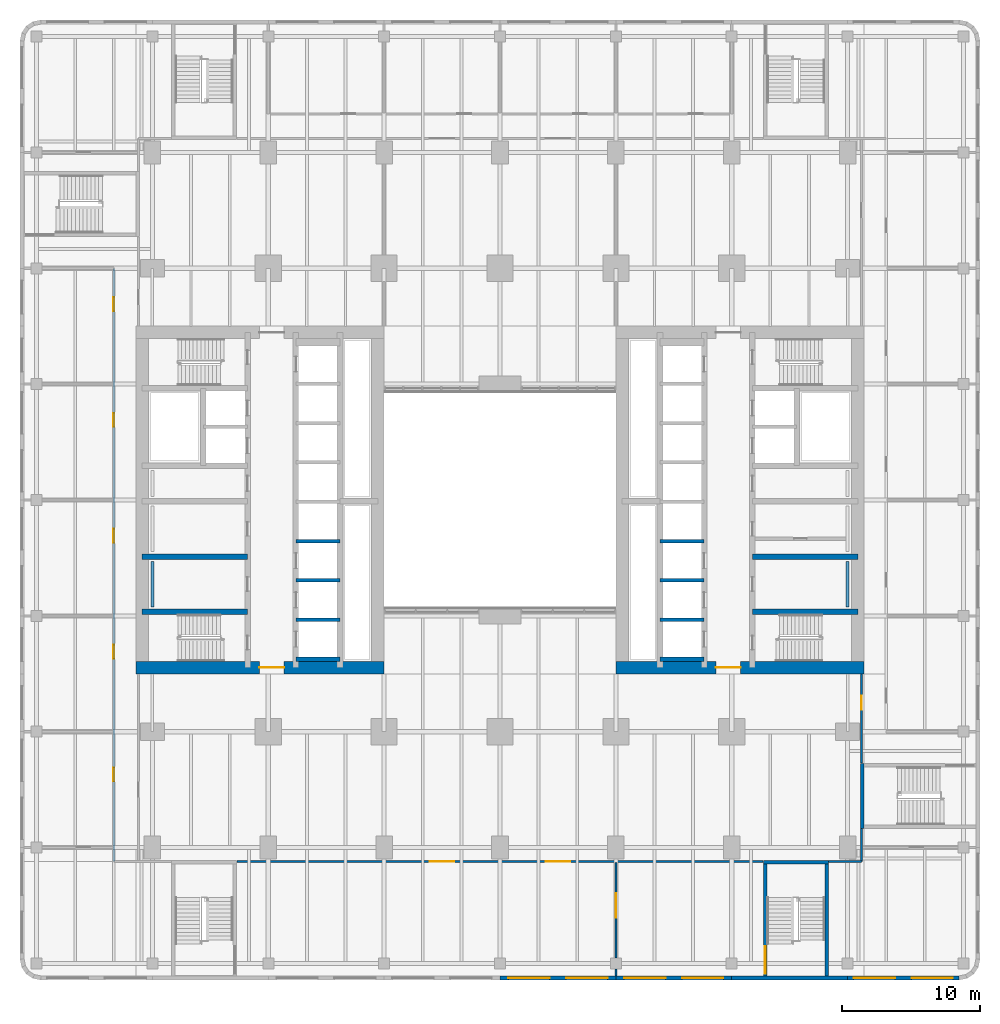
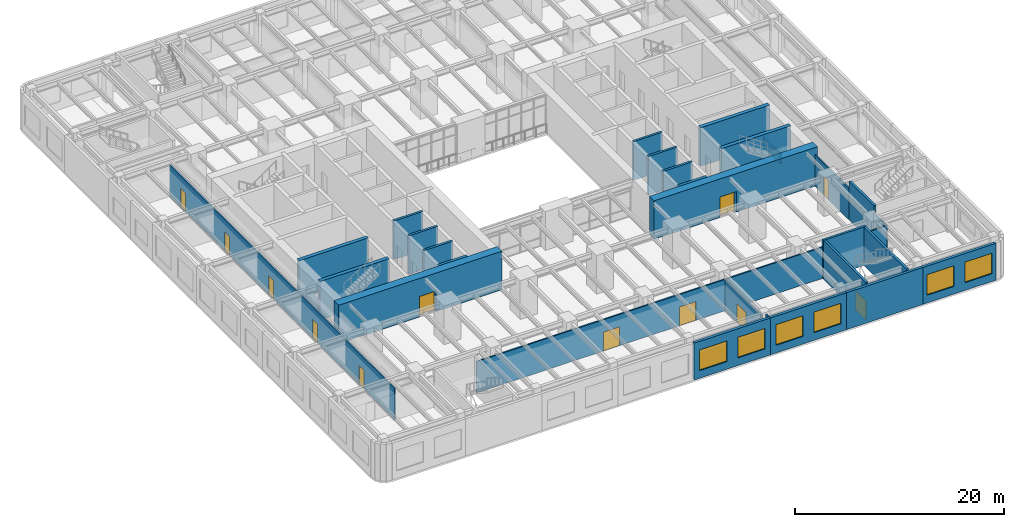
# One storey, part 10 of 26: 31 walls, 12 doors, 6 windows, 18 openings.
"""IFC4 building model written with IfcOpenShell, lengths in metres."""

from ifc_helpers import new_model, si_unit, direction, frame, frame_2d, origin, place, context, subcontext, project, spatial, rectangle, extrude, material, layer, layer_set, type_object, element, fill, save


model = new_model("IFC4")

# Units and contexts
model_context = context("Model", 3, precision=1e-05, world=origin(), true_north=direction((0.0, 1.0)))
body_context = subcontext(model_context, "Body", "Model", "MODEL_VIEW")
ifc_project = project(units=[si_unit("LENGTHUNIT", "METRE"), si_unit("AREAUNIT", "SQUARE_METRE"), si_unit("VOLUMEUNIT", "CUBIC_METRE"), si_unit("PLANEANGLEUNIT", "RADIAN"), si_unit("MASSUNIT", "GRAM", prefix="KILO")], contexts=[model_context])

# Site, building, storey
site_placement = place(None, origin())
site = spatial("IfcSite", under=ifc_project, at=site_placement, CompositionType="ELEMENT")
building_placement = place(site_placement, origin())
building = spatial("IfcBuilding", under=site, at=building_placement, Name="Claustro Exchange Tower", CompositionType="ELEMENT")
storey_placement = place(building_placement, frame((0.0, 0.0, 9.89990234375)))
storey = spatial("IfcBuildingStorey", under=building, at=storey_placement, Name="L02", CompositionType="ELEMENT", Elevation=9.89990234375)

# Wall, openings, doors
ifc_material_1 = material(Name="Gypsum board on steel studs", Category="steel")
ifc_layer_1 = layer(ifc_material_1, 0.14990234375)
ifc_layer_set_1 = layer_set([ifc_layer_1], Name="Gypsum board on steel studs")
wall_type_1 = type_object("IfcWallType", Name="P1 150 plasterboard partition", PredefinedType="PARTITIONING", material=ifc_layer_set_1)
wall_1_placement = place(storey_placement, frame((6.1201171875, -1.0, 0.0), z_axis=(0.0, 0.0, 1.0), x_axis=(1.0, 0.0, 0.0)))
wall_1 = element("IfcWall", 1, at=wall_1_placement, inside=storey, type_object=wall_type_1, Name="Partition P1 L02", PredefinedType="PARTITIONING", context=body_context, shape_type="SweptSolid", body=[
    extrude(rectangle(XDim=38.159912109375, YDim=0.14990234375, at=frame_2d((19.080078125, 0.0))), origin(), (0.0, 0.0, 1.0), 3.650146484375),
])
opening_1_placement = place(wall_1_placement, frame((13.97998046875, 0.0, 0.0)))
opening_1 = element("IfcOpeningElement", 2, at=opening_1_placement, cuts=wall_1, Name="Opening D2", PredefinedType="OPENING", context=body_context, shape_type="SweptSolid", body=[
    extrude(rectangle(XDim=1.800048828125, YDim=2.199951171875, at=frame_2d((0.89990234375, 1.10009765625))), frame((0.0, 0.0849609375, 0.0), z_axis=(0.0, -1.0, 0.0), x_axis=(1.0, 0.0, 0.0)), (0.0, 0.0, 1.0), 0.169921875),
])
opening_2_placement = place(wall_1_placement, frame((22.3798828125, 0.0, 0.0)))
opening_2 = element("IfcOpeningElement", 3, at=opening_2_placement, cuts=wall_1, Name="Opening D2", PredefinedType="OPENING", context=body_context, shape_type="SweptSolid", body=[
    extrude(rectangle(XDim=1.800048828125, YDim=2.199951171875, at=frame_2d((0.89990234375, 1.10009765625))), frame((0.0, 0.0849609375, 0.0), z_axis=(0.0, -1.0, 0.0), x_axis=(1.0, 0.0, 0.0)), (0.0, 0.0, 1.0), 0.169921875),
])
ifc_material_2 = material(Name="Timber door, oak veneer", Category="wood")
door_type_1 = type_object("IfcDoorType", Name="D2 1800 x 2200 double door", OperationType="DOUBLE_DOOR_SINGLE_SWING", PredefinedType="DOOR", material=ifc_material_2)
door_1_placement = place(opening_1_placement, frame((1.800048828125, 0.0, 0.0), z_axis=(0.0, 0.0, 1.0), x_axis=(-1.0, 0.0, 0.0)))
door_1 = element("IfcDoor", 4, at=door_1_placement, inside=storey, type_object=door_type_1, Name="Double door D2 L02", OperationType="DOUBLE_DOOR_SINGLE_SWING", OverallHeight=2.199951171875, OverallWidth=1.800048828125, PredefinedType="DOOR", context=body_context, shape_type="SweptSolid", body=[
    extrude(rectangle(XDim=1.800048828125, YDim=2.199951171875, at=frame_2d((0.89990234375, 1.10009765625))), frame((0.0, 0.02490234375, 0.0), z_axis=(0.0, -1.0, 0.0), x_axis=(1.0, 0.0, 0.0)), (0.0, 0.0, 1.0), 0.050048828125),
])
fill(opening_1, door_1)
door_2_placement = place(opening_2_placement, frame((1.800048828125, 0.0, 0.0), z_axis=(0.0, 0.0, 1.0), x_axis=(-1.0, 0.0, 0.0)))
door_2 = element("IfcDoor", 5, at=door_2_placement, inside=storey, type_object=door_type_1, Name="Double door D2 L02", OperationType="DOUBLE_DOOR_SINGLE_SWING", OverallHeight=2.199951171875, OverallWidth=1.800048828125, PredefinedType="DOOR", context=body_context, shape_type="SweptSolid", body=[
    extrude(rectangle(XDim=1.800048828125, YDim=2.199951171875, at=frame_2d((0.89990234375, 1.10009765625))), frame((0.0, 0.02490234375, 0.0), z_axis=(0.0, -1.0, 0.0), x_axis=(1.0, 0.0, 0.0)), (0.0, 0.0, 1.0), 0.050048828125),
])
fill(opening_2, door_2)

# Walls
for number, where, z_axis, x_axis, name in (
    (6, (49.02001953125, -1.0, 0.0), (0.0, 0.0, 1.0), (1.0, 0.0, 0.0), "Partition P1 L02"),
    (7, (51.39990234375, -1.0, 0.0), (0.0, 0.0, 1.0), (0.0, 1.0, 0.0), "Partition P1 L02"),
):
    element("IfcWall", number, at=place(storey_placement, frame(where, z_axis=z_axis, x_axis=x_axis)), inside=storey, type_object=wall_type_1, Name=name, PredefinedType="PARTITIONING", context=body_context, shape_type="SweptSolid", body=[
        extrude(rectangle(XDim=2.3798828125, YDim=0.14990234375, at=frame_2d((1.18994140625, 0.0))), origin(), (0.0, 0.0, 1.0), 3.650146484375),
    ])

# Wall, opening, door
wall_2_placement = place(storey_placement, frame((51.39990234375, 6.1201171875, 0.0), z_axis=(0.0, 0.0, 1.0), x_axis=(0.0, 1.0, 0.0)))
wall_2 = element("IfcWall", 8, at=wall_2_placement, inside=storey, type_object=wall_type_1, Name="Partition P1 L02", PredefinedType="PARTITIONING", context=body_context, shape_type="SweptSolid", body=[
    extrude(rectangle(XDim=6.48193359375, YDim=0.14990234375, at=frame_2d((3.240966796875, 0.0))), origin(), (0.0, 0.0, 1.0), 3.650146484375),
])
opening_3_placement = place(wall_2_placement, frame((3.8798828125, 0.0, 0.0)))
opening_3 = element("IfcOpeningElement", 9, at=opening_3_placement, cuts=wall_2, Name="Opening D1", PredefinedType="OPENING", context=body_context, shape_type="SweptSolid", body=[
    extrude(rectangle(XDim=1.0, YDim=2.199951171875, at=frame_2d((0.5, 1.10009765625))), frame((0.0, 0.0849609375, 0.0), z_axis=(0.0, -1.0, 0.0), x_axis=(1.0, 0.0, 0.0)), (0.0, 0.0, 1.0), 0.169921875),
])
ifc_material_3 = material(Name="Timber door, oak veneer", Category="wood")
door_type_2 = type_object("IfcDoorType", Name="D1 1000 x 2200 single door", OperationType="SINGLE_SWING_LEFT", PredefinedType="DOOR", material=ifc_material_3)
door_3_placement = place(opening_3_placement, frame((1.0, 0.0, 0.0), z_axis=(0.0, 0.0, 1.0), x_axis=(-1.0, 0.0, 0.0)))
door_3 = element("IfcDoor", 10, at=door_3_placement, inside=storey, type_object=door_type_2, Name="Door D1 L02", OperationType="SINGLE_SWING_RIGHT", OverallHeight=2.199951171875, OverallWidth=1.0, PredefinedType="DOOR", context=body_context, shape_type="SweptSolid", body=[
    extrude(rectangle(XDim=1.0, YDim=2.199951171875, at=frame_2d((0.5, 1.10009765625))), frame((0.0, 0.02490234375, 0.0), z_axis=(0.0, -1.0, 0.0), x_axis=(1.0, 0.0, 0.0)), (0.0, 0.0, 1.0), 0.050048828125),
])
fill(opening_3, door_3)

# Wall, openings, doors
wall_3_placement = place(storey_placement, frame((-2.800048828125, -1.0, 0.0), z_axis=(0.0, 0.0, 1.0), x_axis=(0.0, 1.0, 0.0)))
wall_3 = element("IfcWall", 11, at=wall_3_placement, inside=storey, type_object=wall_type_1, Name="Partition P1 L02", PredefinedType="PARTITIONING", context=body_context, shape_type="SweptSolid", body=[
    extrude(rectangle(XDim=43.0, YDim=0.14990234375, at=frame_2d((21.5, 0.0))), origin(), (0.0, 0.0, 1.0), 3.650146484375),
])
opening_4_placement = place(wall_3_placement, frame((5.800048828125, 0.0, 0.0)))
opening_4 = element("IfcOpeningElement", 12, at=opening_4_placement, cuts=wall_3, Name="Opening D1", PredefinedType="OPENING", context=body_context, shape_type="SweptSolid", body=[
    extrude(rectangle(XDim=1.0, YDim=2.199951171875, at=frame_2d((0.5, 1.10009765625))), frame((0.0, 0.0849609375, 0.0), z_axis=(0.0, -1.0, 0.0), x_axis=(1.0, 0.0, 0.0)), (0.0, 0.0, 1.0), 0.169921875),
])
opening_5_placement = place(wall_3_placement, frame((14.699951171875, 0.0, 0.0)))
opening_5 = element("IfcOpeningElement", 13, at=opening_5_placement, cuts=wall_3, Name="Opening D1", PredefinedType="OPENING", context=body_context, shape_type="SweptSolid", body=[
    extrude(rectangle(XDim=1.0, YDim=2.199951171875, at=frame_2d((0.5, 1.10009765625))), frame((0.0, 0.0849609375, 0.0), z_axis=(0.0, -1.0, 0.0), x_axis=(1.0, 0.0, 0.0)), (0.0, 0.0, 1.0), 0.169921875),
])
opening_6_placement = place(wall_3_placement, frame((23.10009765625, 0.0, 0.0)))
opening_6 = element("IfcOpeningElement", 14, at=opening_6_placement, cuts=wall_3, Name="Opening D1", PredefinedType="OPENING", context=body_context, shape_type="SweptSolid", body=[
    extrude(rectangle(XDim=1.0, YDim=2.199951171875, at=frame_2d((0.5, 1.10009765625))), frame((0.0, 0.0849609375, 0.0), z_axis=(0.0, -1.0, 0.0), x_axis=(1.0, 0.0, 0.0)), (0.0, 0.0, 1.0), 0.169921875),
])
opening_7_placement = place(wall_3_placement, frame((31.5, 0.0, 0.0)))
opening_7 = element("IfcOpeningElement", 15, at=opening_7_placement, cuts=wall_3, Name="Opening D1", PredefinedType="OPENING", context=body_context, shape_type="SweptSolid", body=[
    extrude(rectangle(XDim=1.0, YDim=2.199951171875, at=frame_2d((0.5, 1.10009765625))), frame((0.0, 0.0849609375, 0.0), z_axis=(0.0, -1.0, 0.0), x_axis=(1.0, 0.0, 0.0)), (0.0, 0.0, 1.0), 0.169921875),
])
opening_8_placement = place(wall_3_placement, frame((39.89990234375, 0.0, 0.0)))
opening_8 = element("IfcOpeningElement", 16, at=opening_8_placement, cuts=wall_3, Name="Opening D1", PredefinedType="OPENING", context=body_context, shape_type="SweptSolid", body=[
    extrude(rectangle(XDim=1.0, YDim=2.199951171875, at=frame_2d((0.5, 1.10009765625))), frame((0.0, 0.0849609375, 0.0), z_axis=(0.0, -1.0, 0.0), x_axis=(1.0, 0.0, 0.0)), (0.0, 0.0, 1.0), 0.169921875),
])
door_4_placement = place(opening_4_placement, origin())
door_4 = element("IfcDoor", 17, at=door_4_placement, inside=storey, type_object=door_type_2, Name="Door D1 L02", OperationType="SINGLE_SWING_RIGHT", OverallHeight=2.199951171875, OverallWidth=1.0, PredefinedType="DOOR", context=body_context, shape_type="SweptSolid", body=[
    extrude(rectangle(XDim=1.0, YDim=2.199951171875, at=frame_2d((0.5, 1.10009765625))), frame((0.0, 0.02490234375, 0.0), z_axis=(0.0, -1.0, 0.0), x_axis=(1.0, 0.0, 0.0)), (0.0, 0.0, 1.0), 0.050048828125),
])
fill(opening_4, door_4)
door_5_placement = place(opening_5_placement, origin())
door_5 = element("IfcDoor", 18, at=door_5_placement, inside=storey, type_object=door_type_2, Name="Door D1 L02", OperationType="SINGLE_SWING_RIGHT", OverallHeight=2.199951171875, OverallWidth=1.0, PredefinedType="DOOR", context=body_context, shape_type="SweptSolid", body=[
    extrude(rectangle(XDim=1.0, YDim=2.199951171875, at=frame_2d((0.5, 1.10009765625))), frame((0.0, 0.02490234375, 0.0), z_axis=(0.0, -1.0, 0.0), x_axis=(1.0, 0.0, 0.0)), (0.0, 0.0, 1.0), 0.050048828125),
])
fill(opening_5, door_5)
door_6_placement = place(opening_6_placement, origin())
door_6 = element("IfcDoor", 19, at=door_6_placement, inside=storey, type_object=door_type_2, Name="Door D1 L02", OperationType="SINGLE_SWING_RIGHT", OverallHeight=2.199951171875, OverallWidth=1.0, PredefinedType="DOOR", context=body_context, shape_type="SweptSolid", body=[
    extrude(rectangle(XDim=1.0, YDim=2.199951171875, at=frame_2d((0.5, 1.10009765625))), frame((0.0, 0.02490234375, 0.0), z_axis=(0.0, -1.0, 0.0), x_axis=(1.0, 0.0, 0.0)), (0.0, 0.0, 1.0), 0.050048828125),
])
fill(opening_6, door_6)
door_7_placement = place(opening_7_placement, origin())
door_7 = element("IfcDoor", 20, at=door_7_placement, inside=storey, type_object=door_type_2, Name="Door D1 L02", OperationType="SINGLE_SWING_RIGHT", OverallHeight=2.199951171875, OverallWidth=1.0, PredefinedType="DOOR", context=body_context, shape_type="SweptSolid", body=[
    extrude(rectangle(XDim=1.0, YDim=2.199951171875, at=frame_2d((0.5, 1.10009765625))), frame((0.0, 0.02490234375, 0.0), z_axis=(0.0, -1.0, 0.0), x_axis=(1.0, 0.0, 0.0)), (0.0, 0.0, 1.0), 0.050048828125),
])
fill(opening_7, door_7)
door_8_placement = place(opening_8_placement, origin())
door_8 = element("IfcDoor", 21, at=door_8_placement, inside=storey, type_object=door_type_2, Name="Door D1 L02", OperationType="SINGLE_SWING_RIGHT", OverallHeight=2.199951171875, OverallWidth=1.0, PredefinedType="DOOR", context=body_context, shape_type="SweptSolid", body=[
    extrude(rectangle(XDim=1.0, YDim=2.199951171875, at=frame_2d((0.5, 1.10009765625))), frame((0.0, 0.02490234375, 0.0), z_axis=(0.0, -1.0, 0.0), x_axis=(1.0, 0.0, 0.0)), (0.0, 0.0, 1.0), 0.050048828125),
])
fill(opening_8, door_8)

# Wall
wall_4_placement = place(storey_placement, frame((33.60009765625, -9.300048828125, 0.0), z_axis=(0.0, 0.0, 1.0), x_axis=(0.0, 1.0, 0.0)))
element("IfcWall", 22, at=wall_4_placement, inside=storey, type_object=wall_type_1, Name="Partition P1 L02", PredefinedType="PARTITIONING", context=body_context, shape_type="SweptSolid", body=[
    extrude(rectangle(XDim=0.5009765625, YDim=0.14990234375, at=frame_2d((0.25048828125, 0.0))), origin(), (0.0, 0.0, 1.0), 4.300048828125),
])

# Wall, opening, door
wall_5_placement = place(storey_placement, frame((33.60009765625, -8.0009765625, 0.0), z_axis=(0.0, 0.0, 1.0), x_axis=(0.0, 1.0, 0.0)))
wall_5 = element("IfcWall", 23, at=wall_5_placement, inside=storey, type_object=wall_type_1, Name="Partition P1 L02", PredefinedType="PARTITIONING", context=body_context, shape_type="SweptSolid", body=[
    extrude(rectangle(XDim=6.927001953125, YDim=0.14990234375, at=frame_2d((3.46337890625, 0.0))), origin(), (0.0, 0.0, 1.0), 3.650146484375),
])
opening_9_placement = place(wall_5_placement, frame((2.90087890625, 0.0, 0.0)))
opening_9 = element("IfcOpeningElement", 24, at=opening_9_placement, cuts=wall_5, Name="Opening D2", PredefinedType="OPENING", context=body_context, shape_type="SweptSolid", body=[
    extrude(rectangle(XDim=1.800048828125, YDim=2.199951171875, at=frame_2d((0.89990234375, 1.10009765625))), frame((0.0, 0.0849609375, 0.0), z_axis=(0.0, -1.0, 0.0), x_axis=(1.0, 0.0, 0.0)), (0.0, 0.0, 1.0), 0.169921875),
])
door_9_placement = place(opening_9_placement, origin())
door_9 = element("IfcDoor", 25, at=door_9_placement, inside=storey, type_object=door_type_1, Name="Double door D2 L02", OperationType="DOUBLE_DOOR_SINGLE_SWING", OverallHeight=2.199951171875, OverallWidth=1.800048828125, PredefinedType="DOOR", context=body_context, shape_type="SweptSolid", body=[
    extrude(rectangle(XDim=1.800048828125, YDim=2.199951171875, at=frame_2d((0.89990234375, 1.10009765625))), frame((0.0, 0.02490234375, 0.0), z_axis=(0.0, -1.0, 0.0), x_axis=(1.0, 0.0, 0.0)), (0.0, 0.0, 1.0), 0.050048828125),
])
fill(opening_9, door_9)

# Wall, openings, windows
ifc_material_4 = material(Name="Concrete HA-40 (C40/50), precast, white cement, acid-etched", Category="concrete")
ifc_layer_2 = layer(ifc_material_4, 0.300048828125)
ifc_layer_set_2 = layer_set([ifc_layer_2], Name="Concrete HA-40 (C40/50), precast, white cement, acid-etched")
wall_type_2 = type_object("IfcWallType", Name="PC1 300 precast concrete pier panel", PredefinedType="SOLIDWALL", material=ifc_layer_set_2)
wall_6_placement = place(storey_placement, frame((58.485107421875, -9.449951171875, 0.0), z_axis=(0.0, 0.0, 1.0), x_axis=(-1.0, 0.0, 0.0)))
wall_6 = element("IfcWall", 26, at=wall_6_placement, inside=storey, type_object=wall_type_2, Name="Precast pier panel PC1 L02", PredefinedType="SOLIDWALL", context=body_context, shape_type="SweptSolid", body=[
    extrude(rectangle(XDim=8.085205078125, YDim=0.300048828125, at=frame_2d((4.04248046875, 0.0))), origin(), (0.0, 0.0, 1.0), 4.300048828125),
])
opening_10_placement = place(wall_6_placement, frame((0.442626953125, 0.0, 0.89990234375)))
opening_10 = element("IfcOpeningElement", 27, at=opening_10_placement, cuts=wall_6, Name="Opening W3", PredefinedType="OPENING", context=body_context, shape_type="SweptSolid", body=[
    extrude(rectangle(XDim=3.0, YDim=2.39990234375, at=frame_2d((1.5, 1.199951171875))), frame((0.0, 0.159912109375, 0.0), z_axis=(0.0, -1.0, 0.0), x_axis=(1.0, 0.0, 0.0)), (0.0, 0.0, 1.0), 0.320068359375),
])
opening_11_placement = place(wall_6_placement, frame((4.642578125, 0.0, 0.89990234375)))
opening_11 = element("IfcOpeningElement", 28, at=opening_11_placement, cuts=wall_6, Name="Opening W3", PredefinedType="OPENING", context=body_context, shape_type="SweptSolid", body=[
    extrude(rectangle(XDim=3.0, YDim=2.39990234375, at=frame_2d((1.5, 1.199951171875))), frame((0.0, 0.159912109375, 0.0), z_axis=(0.0, -1.0, 0.0), x_axis=(1.0, 0.0, 0.0)), (0.0, 0.0, 1.0), 0.320068359375),
])
ifc_material_5 = material(Name="Aluminium frame, clear double glazing", Category="aluminium")
window_type = type_object("IfcWindowType", Name="W3 3000 x 2400 window", PartitioningType="SINGLE_PANEL", PredefinedType="WINDOW", material=ifc_material_5)
window_1_placement = place(opening_10_placement, origin())
window_1 = element("IfcWindow", 29, at=window_1_placement, inside=storey, type_object=window_type, Name="Window W3 L02", OverallHeight=2.39990234375, OverallWidth=3.0, PartitioningType="SINGLE_PANEL", PredefinedType="WINDOW", context=body_context, shape_type="SweptSolid", body=[
    extrude(rectangle(XDim=3.0, YDim=2.39990234375, at=frame_2d((1.5, 1.199951171875))), frame((0.0, 0.030029296875, 0.0), z_axis=(0.0, -1.0, 0.0), x_axis=(1.0, 0.0, 0.0)), (0.0, 0.0, 1.0), 0.06005859375),
])
fill(opening_10, window_1)
window_2_placement = place(opening_11_placement, origin())
window_2 = element("IfcWindow", 30, at=window_2_placement, inside=storey, type_object=window_type, Name="Window W3 L02", OverallHeight=2.39990234375, OverallWidth=3.0, PartitioningType="SINGLE_PANEL", PredefinedType="WINDOW", context=body_context, shape_type="SweptSolid", body=[
    extrude(rectangle(XDim=3.0, YDim=2.39990234375, at=frame_2d((1.5, 1.199951171875))), frame((0.0, 0.030029296875, 0.0), z_axis=(0.0, -1.0, 0.0), x_axis=(1.0, 0.0, 0.0)), (0.0, 0.0, 1.0), 0.06005859375),
])
fill(opening_11, window_2)

# Wall
wall_7_placement = place(storey_placement, frame((50.39990234375, -9.449951171875, 0.0), z_axis=(0.0, 0.0, 1.0), x_axis=(-1.0, 0.0, 0.0)))
element("IfcWall", 31, at=wall_7_placement, inside=storey, type_object=wall_type_2, Name="Precast pier panel PC1 L02", PredefinedType="SOLIDWALL", context=body_context, shape_type="SweptSolid", body=[
    extrude(rectangle(XDim=8.39990234375, YDim=0.300048828125, at=frame_2d((4.199951171875, 0.0))), origin(), (0.0, 0.0, 1.0), 4.300048828125),
])

# Wall, openings, windows
wall_8_placement = place(storey_placement, frame((42.0, -9.449951171875, 0.0), z_axis=(0.0, 0.0, 1.0), x_axis=(-1.0, 0.0, 0.0)))
wall_8 = element("IfcWall", 32, at=wall_8_placement, inside=storey, type_object=wall_type_2, Name="Precast pier panel PC1 L02", PredefinedType="SOLIDWALL", context=body_context, shape_type="SweptSolid", body=[
    extrude(rectangle(XDim=8.39990234375, YDim=0.300048828125, at=frame_2d((4.199951171875, 0.0))), origin(), (0.0, 0.0, 1.0), 4.300048828125),
])
opening_12_placement = place(wall_8_placement, frame((0.60009765625, 0.0, 0.89990234375)))
opening_12 = element("IfcOpeningElement", 33, at=opening_12_placement, cuts=wall_8, Name="Opening W3", PredefinedType="OPENING", context=body_context, shape_type="SweptSolid", body=[
    extrude(rectangle(XDim=3.0, YDim=2.39990234375, at=frame_2d((1.5, 1.199951171875))), frame((0.0, 0.159912109375, 0.0), z_axis=(0.0, -1.0, 0.0), x_axis=(1.0, 0.0, 0.0)), (0.0, 0.0, 1.0), 0.320068359375),
])
opening_13_placement = place(wall_8_placement, frame((4.800048828125, 0.0, 0.89990234375)))
opening_13 = element("IfcOpeningElement", 34, at=opening_13_placement, cuts=wall_8, Name="Opening W3", PredefinedType="OPENING", context=body_context, shape_type="SweptSolid", body=[
    extrude(rectangle(XDim=3.0, YDim=2.39990234375, at=frame_2d((1.5, 1.199951171875))), frame((0.0, 0.159912109375, 0.0), z_axis=(0.0, -1.0, 0.0), x_axis=(1.0, 0.0, 0.0)), (0.0, 0.0, 1.0), 0.320068359375),
])
window_3_placement = place(opening_12_placement, origin())
window_3 = element("IfcWindow", 35, at=window_3_placement, inside=storey, type_object=window_type, Name="Window W3 L02", OverallHeight=2.39990234375, OverallWidth=3.0, PartitioningType="SINGLE_PANEL", PredefinedType="WINDOW", context=body_context, shape_type="SweptSolid", body=[
    extrude(rectangle(XDim=3.0, YDim=2.39990234375, at=frame_2d((1.5, 1.199951171875))), frame((0.0, 0.030029296875, 0.0), z_axis=(0.0, -1.0, 0.0), x_axis=(1.0, 0.0, 0.0)), (0.0, 0.0, 1.0), 0.06005859375),
])
fill(opening_12, window_3)
window_4_placement = place(opening_13_placement, origin())
window_4 = element("IfcWindow", 36, at=window_4_placement, inside=storey, type_object=window_type, Name="Window W3 L02", OverallHeight=2.39990234375, OverallWidth=3.0, PartitioningType="SINGLE_PANEL", PredefinedType="WINDOW", context=body_context, shape_type="SweptSolid", body=[
    extrude(rectangle(XDim=3.0, YDim=2.39990234375, at=frame_2d((1.5, 1.199951171875))), frame((0.0, 0.030029296875, 0.0), z_axis=(0.0, -1.0, 0.0), x_axis=(1.0, 0.0, 0.0)), (0.0, 0.0, 1.0), 0.06005859375),
])
fill(opening_13, window_4)

wall_9_placement = place(storey_placement, frame((33.60009765625, -9.449951171875, 0.0), z_axis=(0.0, 0.0, 1.0), x_axis=(-1.0, 0.0, 0.0)))
wall_9 = element("IfcWall", 37, at=wall_9_placement, inside=storey, type_object=wall_type_2, Name="Precast pier panel PC1 L02", PredefinedType="SOLIDWALL", context=body_context, shape_type="SweptSolid", body=[
    extrude(rectangle(XDim=8.400146484375, YDim=0.300048828125, at=frame_2d((4.2001953125, 0.0))), origin(), (0.0, 0.0, 1.0), 4.300048828125),
])
opening_14_placement = place(wall_9_placement, frame((0.60009765625, 0.0, 0.89990234375)))
opening_14 = element("IfcOpeningElement", 38, at=opening_14_placement, cuts=wall_9, Name="Opening W3", PredefinedType="OPENING", context=body_context, shape_type="SweptSolid", body=[
    extrude(rectangle(XDim=3.0, YDim=2.39990234375, at=frame_2d((1.5, 1.199951171875))), frame((0.0, 0.159912109375, 0.0), z_axis=(0.0, -1.0, 0.0), x_axis=(1.0, 0.0, 0.0)), (0.0, 0.0, 1.0), 0.320068359375),
])
opening_15_placement = place(wall_9_placement, frame((4.800048828125, 0.0, 0.89990234375)))
opening_15 = element("IfcOpeningElement", 39, at=opening_15_placement, cuts=wall_9, Name="Opening W3", PredefinedType="OPENING", context=body_context, shape_type="SweptSolid", body=[
    extrude(rectangle(XDim=3.0, YDim=2.39990234375, at=frame_2d((1.5, 1.199951171875))), frame((0.0, 0.159912109375, 0.0), z_axis=(0.0, -1.0, 0.0), x_axis=(1.0, 0.0, 0.0)), (0.0, 0.0, 1.0), 0.320068359375),
])
window_5_placement = place(opening_14_placement, origin())
window_5 = element("IfcWindow", 40, at=window_5_placement, inside=storey, type_object=window_type, Name="Window W3 L02", OverallHeight=2.39990234375, OverallWidth=3.0, PartitioningType="SINGLE_PANEL", PredefinedType="WINDOW", context=body_context, shape_type="SweptSolid", body=[
    extrude(rectangle(XDim=3.0, YDim=2.39990234375, at=frame_2d((1.5, 1.199951171875))), frame((0.0, 0.030029296875, 0.0), z_axis=(0.0, -1.0, 0.0), x_axis=(1.0, 0.0, 0.0)), (0.0, 0.0, 1.0), 0.06005859375),
])
fill(opening_14, window_5)
window_6_placement = place(opening_15_placement, origin())
window_6 = element("IfcWindow", 41, at=window_6_placement, inside=storey, type_object=window_type, Name="Window W3 L02", OverallHeight=2.39990234375, OverallWidth=3.0, PartitioningType="SINGLE_PANEL", PredefinedType="WINDOW", context=body_context, shape_type="SweptSolid", body=[
    extrude(rectangle(XDim=3.0, YDim=2.39990234375, at=frame_2d((1.5, 1.199951171875))), frame((0.0, 0.030029296875, 0.0), z_axis=(0.0, -1.0, 0.0), x_axis=(1.0, 0.0, 0.0)), (0.0, 0.0, 1.0), 0.06005859375),
])
fill(opening_15, window_6)

# Walls
ifc_material_6 = material(Name="Gypsum board on steel studs, tiled", Category="steel")
ifc_layer_3 = layer(ifc_material_6, 0.199951171875)
ifc_layer_set_3 = layer_set([ifc_layer_3], Name="Gypsum board on steel studs, tiled")
wall_type_3 = type_object("IfcWallType", Name="PW1 200 WC duct wall", PredefinedType="PLUMBINGWALL", material=ifc_layer_set_3)
for number, where, z_axis, x_axis, name in (
    (42, (50.39990234375, 17.449951171875, 0.0), (0.0, 0.0, 1.0), (0.0, 1.0, 0.0), "WC duct wall PW1 L02"),
    (43, (0.0, 17.449951171875, 0.0), (0.0, 0.0, 1.0), (0.0, 1.0, 0.0), "WC duct wall PW1 L02"),
):
    element("IfcWall", number, at=place(storey_placement, frame(where, z_axis=z_axis, x_axis=x_axis)), inside=storey, type_object=wall_type_3, Name=name, PredefinedType="PLUMBINGWALL", context=body_context, shape_type="SweptSolid", body=[
        extrude(rectangle(XDim=3.300048828125, YDim=0.199951171875, at=frame_2d((1.64990234375, 0.0))), origin(), (0.0, 0.0, 1.0), 1.2001953125),
    ])

# Wall, opening, door
ifc_material_7 = material(Name="Concrete HA-70 (C70/85)", Category="concrete")
ifc_layer_4 = layer(ifc_material_7, 0.89990234375)
ifc_layer_set_4 = layer_set([ifc_layer_4], Name="Concrete HA-70 (C70/85)")
wall_type_4 = type_object("IfcWallType", Name="SW1 900 core shear wall", PredefinedType="SHEAR", material=ifc_layer_set_4)
wall_10_placement = place(storey_placement, frame((-1.199951171875, 13.050048828125, 0.0), z_axis=(0.0, 0.0, 1.0), x_axis=(1.0, 0.0, 0.0)))
wall_10 = element("IfcWall", 44, at=wall_10_placement, inside=storey, type_object=wall_type_4, Name="Core wall SW1 W core S face L02", PredefinedType="SHEAR", context=body_context, shape_type="SweptSolid", body=[
    extrude(rectangle(XDim=18.0, YDim=0.89990234375, at=frame_2d((9.0, 0.0))), origin(), (0.0, 0.0, 1.0), 4.5),
])
opening_16_placement = place(wall_10_placement, frame((8.949951171875, 0.0, 0.0)))
opening_16 = element("IfcOpeningElement", 45, at=opening_16_placement, cuts=wall_10, Name="Opening D3", PredefinedType="OPENING", context=body_context, shape_type="SweptSolid", body=[
    extrude(rectangle(XDim=1.800048828125, YDim=2.39990234375, at=frame_2d((0.89990234375, 1.199951171875))), frame((0.0, 0.4599609375, 0.0), z_axis=(0.0, -1.0, 0.0), x_axis=(1.0, 0.0, 0.0)), (0.0, 0.0, 1.0), 0.919921875),
])
ifc_material_8 = material(Name="Steel fire door, painted", Category="steel")
door_type_3 = type_object("IfcDoorType", Name="D3 1800 x 2400 fire-rated lobby double door", OperationType="DOUBLE_DOOR_SINGLE_SWING", PredefinedType="DOOR", material=ifc_material_8)
door_10_placement = place(opening_16_placement, origin())
door_10 = element("IfcDoor", 46, at=door_10_placement, inside=storey, type_object=door_type_3, Name="Lift lobby door D3 L02", OperationType="DOUBLE_DOOR_SINGLE_SWING", OverallHeight=2.39990234375, OverallWidth=1.800048828125, PredefinedType="DOOR", context=body_context, shape_type="SweptSolid", body=[
    extrude(rectangle(XDim=1.800048828125, YDim=2.39990234375, at=frame_2d((0.89990234375, 1.199951171875))), frame((0.0, 0.02490234375, 0.0), z_axis=(0.0, -1.0, 0.0), x_axis=(1.0, 0.0, 0.0)), (0.0, 0.0, 1.0), 0.050048828125),
])
fill(opening_16, door_10)

wall_11_placement = place(storey_placement, frame((33.60009765625, 13.050048828125, 0.0), z_axis=(0.0, 0.0, 1.0), x_axis=(1.0, 0.0, 0.0)))
wall_11 = element("IfcWall", 47, at=wall_11_placement, inside=storey, type_object=wall_type_4, Name="Core wall SW1 E core S face L02", PredefinedType="SHEAR", context=body_context, shape_type="SweptSolid", body=[
    extrude(rectangle(XDim=18.0, YDim=0.89990234375, at=frame_2d((9.0, 0.0))), origin(), (0.0, 0.0, 1.0), 4.5),
])
opening_17_placement = place(wall_11_placement, frame((7.25, 0.0, 0.0)))
opening_17 = element("IfcOpeningElement", 48, at=opening_17_placement, cuts=wall_11, Name="Opening D3", PredefinedType="OPENING", context=body_context, shape_type="SweptSolid", body=[
    extrude(rectangle(XDim=1.800048828125, YDim=2.39990234375, at=frame_2d((0.89990234375, 1.199951171875))), frame((0.0, 0.4599609375, 0.0), z_axis=(0.0, -1.0, 0.0), x_axis=(1.0, 0.0, 0.0)), (0.0, 0.0, 1.0), 0.919921875),
])
door_11_placement = place(opening_17_placement, origin())
door_11 = element("IfcDoor", 49, at=door_11_placement, inside=storey, type_object=door_type_3, Name="Lift lobby door D3 L02", OperationType="DOUBLE_DOOR_SINGLE_SWING", OverallHeight=2.39990234375, OverallWidth=1.800048828125, PredefinedType="DOOR", context=body_context, shape_type="SweptSolid", body=[
    extrude(rectangle(XDim=1.800048828125, YDim=2.39990234375, at=frame_2d((0.89990234375, 1.199951171875))), frame((0.0, 0.02490234375, 0.0), z_axis=(0.0, -1.0, 0.0), x_axis=(1.0, 0.0, 0.0)), (0.0, 0.0, 1.0), 0.050048828125),
])
fill(opening_17, door_11)

# Walls
ifc_material_9 = material(Name="Concrete HA-50 (C50/60)", Category="concrete")
ifc_layer_5 = layer(ifc_material_9, 0.39990234375)
ifc_layer_set_5 = layer_set([ifc_layer_5], Name="Concrete HA-50 (C50/60)")
wall_type_5 = type_object("IfcWallType", Name="SW4 400 internal core wall", PredefinedType="SHEAR", material=ifc_layer_set_5)
for number, where, z_axis, x_axis, name in (
    (50, (-0.75, 17.10009765625, 0.0), (0.0, 0.0, 1.0), (1.0, 0.0, 0.0), "Internal core wall SW4 W core L02"),
    (51, (-0.75, 21.10009765625, 0.0), (0.0, 0.0, 1.0), (1.0, 0.0, 0.0), "Internal core wall SW4 W core L02"),
    (52, (51.14990234375, 17.10009765625, 0.0), (0.0, 0.0, 1.0), (-1.0, 0.0, 0.0), "Internal core wall SW4 E core L02"),
    (53, (51.14990234375, 21.10009765625, 0.0), (0.0, 0.0, 1.0), (-1.0, 0.0, 0.0), "Internal core wall SW4 E core L02"),
):
    element("IfcWall", number, at=place(storey_placement, frame(where, z_axis=z_axis, x_axis=x_axis)), inside=storey, type_object=wall_type_5, Name=name, PredefinedType="SHEAR", context=body_context, shape_type="SweptSolid", body=[
        extrude(rectangle(XDim=7.64990234375, YDim=0.39990234375, at=frame_2d((3.824951171875, 0.0))), origin(), (0.0, 0.0, 1.0), 4.5),
    ])
ifc_material_10 = material(Name="Concrete HA-50 (C50/60)", Category="concrete")
ifc_layer_6 = layer(ifc_material_10, 0.25)
ifc_layer_set_6 = layer_set([ifc_layer_6], Name="Concrete HA-50 (C50/60)")
wall_type_6 = type_object("IfcWallType", Name="SW5 250 lift shaft divider wall", PredefinedType="SHEAR", material=ifc_layer_set_6)
for number, where, z_axis, x_axis, name in (
    (54, (10.39990234375, 16.52490234375, 0.0), (0.0, 0.0, 1.0), (1.0, 0.0, 0.0), "Lift shaft wall W core L02"),
    (55, (10.39990234375, 19.375, 0.0), (0.0, 0.0, 1.0), (1.0, 0.0, 0.0), "Lift shaft wall W core L02"),
    (56, (10.39990234375, 22.22509765625, 0.0), (0.0, 0.0, 1.0), (1.0, 0.0, 0.0), "Lift shaft wall W core L02"),
):
    element("IfcWall", number, at=place(storey_placement, frame(where, z_axis=z_axis, x_axis=x_axis)), inside=storey, type_object=wall_type_6, Name=name, PredefinedType="SHEAR", context=body_context, shape_type="SweptSolid", body=[
        extrude(rectangle(XDim=3.2001953125, YDim=0.25, at=frame_2d((1.60009765625, 0.0))), origin(), (0.0, 0.0, 1.0), 4.5),
    ])
for number, where, z_axis, x_axis, name in (
    (57, (40.0, 16.52490234375, 0.0), (0.0, 0.0, 1.0), (-1.0, 0.0, 0.0), "Lift shaft wall E core L02"),
    (58, (40.0, 19.375, 0.0), (0.0, 0.0, 1.0), (-1.0, 0.0, 0.0), "Lift shaft wall E core L02"),
    (59, (40.0, 22.22509765625, 0.0), (0.0, 0.0, 1.0), (-1.0, 0.0, 0.0), "Lift shaft wall E core L02"),
):
    element("IfcWall", number, at=place(storey_placement, frame(where, z_axis=z_axis, x_axis=x_axis)), inside=storey, type_object=wall_type_6, Name=name, PredefinedType="SHEAR", context=body_context, shape_type="SweptSolid", body=[
        extrude(rectangle(XDim=3.199951171875, YDim=0.25, at=frame_2d((1.60009765625, 0.0))), origin(), (0.0, 0.0, 1.0), 4.5),
    ])
ifc_material_11 = material(Name="Concrete HA-50 (C50/60)", Category="concrete")
ifc_layer_7 = layer(ifc_material_11, 0.300048828125)
ifc_layer_set_7 = layer_set([ifc_layer_7], Name="Concrete HA-50 (C50/60)")
wall_type_7 = type_object("IfcWallType", Name="SW6A 300 lift shaft end wall", PredefinedType="SHEAR", material=ifc_layer_set_7)
wall_12_placement = place(storey_placement, frame((10.39990234375, 13.64990234375, 0.0), z_axis=(0.0, 0.0, 1.0), x_axis=(1.0, 0.0, 0.0)))
element("IfcWall", 60, at=wall_12_placement, inside=storey, type_object=wall_type_7, Name="Lift shaft wall W core L02", PredefinedType="SHEAR", context=body_context, shape_type="SweptSolid", body=[
    extrude(rectangle(XDim=3.2001953125, YDim=0.300048828125, at=frame_2d((1.60009765625, 0.0))), origin(), (0.0, 0.0, 1.0), 4.5),
])
wall_13_placement = place(storey_placement, frame((40.0, 13.64990234375, 0.0), z_axis=(0.0, 0.0, 1.0), x_axis=(-1.0, 0.0, 0.0)))
element("IfcWall", 61, at=wall_13_placement, inside=storey, type_object=wall_type_7, Name="Lift shaft wall E core L02", PredefinedType="SHEAR", context=body_context, shape_type="SweptSolid", body=[
    extrude(rectangle(XDim=3.199951171875, YDim=0.300048828125, at=frame_2d((1.60009765625, 0.0))), origin(), (0.0, 0.0, 1.0), 4.5),
])

# Wall, opening, door
ifc_material_12 = material(Name="Concrete HA-40 (C40/50)", Category="concrete")
ifc_layer_8 = layer(ifc_material_12, 0.25)
ifc_layer_set_8 = layer_set([ifc_layer_8], Name="Concrete HA-40 (C40/50)")
wall_type_8 = type_object("IfcWallType", Name="SW7 250 reinforced concrete stair wall", PredefinedType="SOLIDWALL", material=ifc_layer_set_8)
wall_14_placement = place(storey_placement, frame((44.425048828125, -9.302001953125, 0.0), z_axis=(0.0, 0.0, 1.0), x_axis=(0.0, 1.0, 0.0)))
wall_14 = element("IfcWall", 62, at=wall_14_placement, inside=storey, type_object=wall_type_8, Name="Stair enclosure wall STP2 SW7 L02", PredefinedType="SOLIDWALL", context=body_context, shape_type="SweptSolid", body=[
    extrude(rectangle(XDim=8.10205078125, YDim=0.25, at=frame_2d((4.051025390625, 0.0))), origin(), (0.0, 0.0, 1.0), 4.5),
])
opening_18_placement = place(wall_14_placement, frame((0.14990234375, 0.0, 0.0)))
opening_18 = element("IfcOpeningElement", 63, at=opening_18_placement, cuts=wall_14, Name="Opening D11", PredefinedType="OPENING", context=body_context, shape_type="SweptSolid", body=[
    extrude(rectangle(XDim=2.0, YDim=2.199951171875, at=frame_2d((1.0, 1.10009765625))), frame((0.0, 0.135009765625, 0.0), z_axis=(0.0, -1.0, 0.0), x_axis=(1.0, 0.0, 0.0)), (0.0, 0.0, 1.0), 0.27001953125),
])
ifc_material_13 = material(Name="Steel fire door, painted", Category="steel")
door_type_4 = type_object("IfcDoorType", Name="D11 2000 x 2200 fire-rated stair double door", OperationType="DOUBLE_DOOR_SINGLE_SWING", PredefinedType="DOOR", material=ifc_material_13)
door_12_placement = place(opening_18_placement, frame((2.0, 0.0, 0.0), z_axis=(0.0, 0.0, 1.0), x_axis=(-1.0, 0.0, 0.0)))
door_12 = element("IfcDoor", 64, at=door_12_placement, inside=storey, type_object=door_type_4, Name="Stair door STP2 D11 L02", OperationType="DOUBLE_DOOR_SINGLE_SWING", OverallHeight=2.199951171875, OverallWidth=2.0, PredefinedType="DOOR", context=body_context, shape_type="SweptSolid", body=[
    extrude(rectangle(XDim=2.0, YDim=2.199951171875, at=frame_2d((1.0, 1.10009765625))), frame((0.0, 0.02490234375, 0.0), z_axis=(0.0, -1.0, 0.0), x_axis=(1.0, 0.0, 0.0)), (0.0, 0.0, 1.0), 0.050048828125),
])
fill(opening_18, door_12)

# Walls
wall_15_placement = place(storey_placement, frame((48.875, -9.302001953125, 0.0), z_axis=(0.0, 0.0, 1.0), x_axis=(0.0, 1.0, 0.0)))
element("IfcWall", 65, at=wall_15_placement, inside=storey, type_object=wall_type_8, Name="Stair enclosure wall STP2 SW7 L02", PredefinedType="SOLIDWALL", context=body_context, shape_type="SweptSolid", body=[
    extrude(rectangle(XDim=8.10205078125, YDim=0.25, at=frame_2d((4.051025390625, 0.0))), origin(), (0.0, 0.0, 1.0), 4.5),
])
wall_16_placement = place(storey_placement, frame((44.300048828125, -1.074951171875, 0.0), z_axis=(0.0, 0.0, 1.0), x_axis=(1.0, 0.0, 0.0)))
element("IfcWall", 66, at=wall_16_placement, inside=storey, type_object=wall_type_8, Name="Stair enclosure wall STP2 SW7 L02", PredefinedType="SOLIDWALL", context=body_context, shape_type="SweptSolid", body=[
    extrude(rectangle(XDim=4.699951171875, YDim=0.25, at=frame_2d((2.35009765625, 0.0))), origin(), (0.0, 0.0, 1.0), 4.5),
])
wall_17_placement = place(storey_placement, frame((51.47509765625, 1.39990234375, 0.0), z_axis=(0.0, 0.0, 1.0), x_axis=(0.0, 1.0, 0.0)))
element("IfcWall", 67, at=wall_17_placement, inside=storey, type_object=wall_type_8, Name="Stair enclosure wall STP6 SW7 L02", PredefinedType="SOLIDWALL", context=body_context, shape_type="SweptSolid", body=[
    extrude(rectangle(XDim=4.7001953125, YDim=0.25, at=frame_2d((2.35009765625, 0.0))), origin(), (0.0, 0.0, 1.0), 4.5),
])

save(model, "model.ifc")
